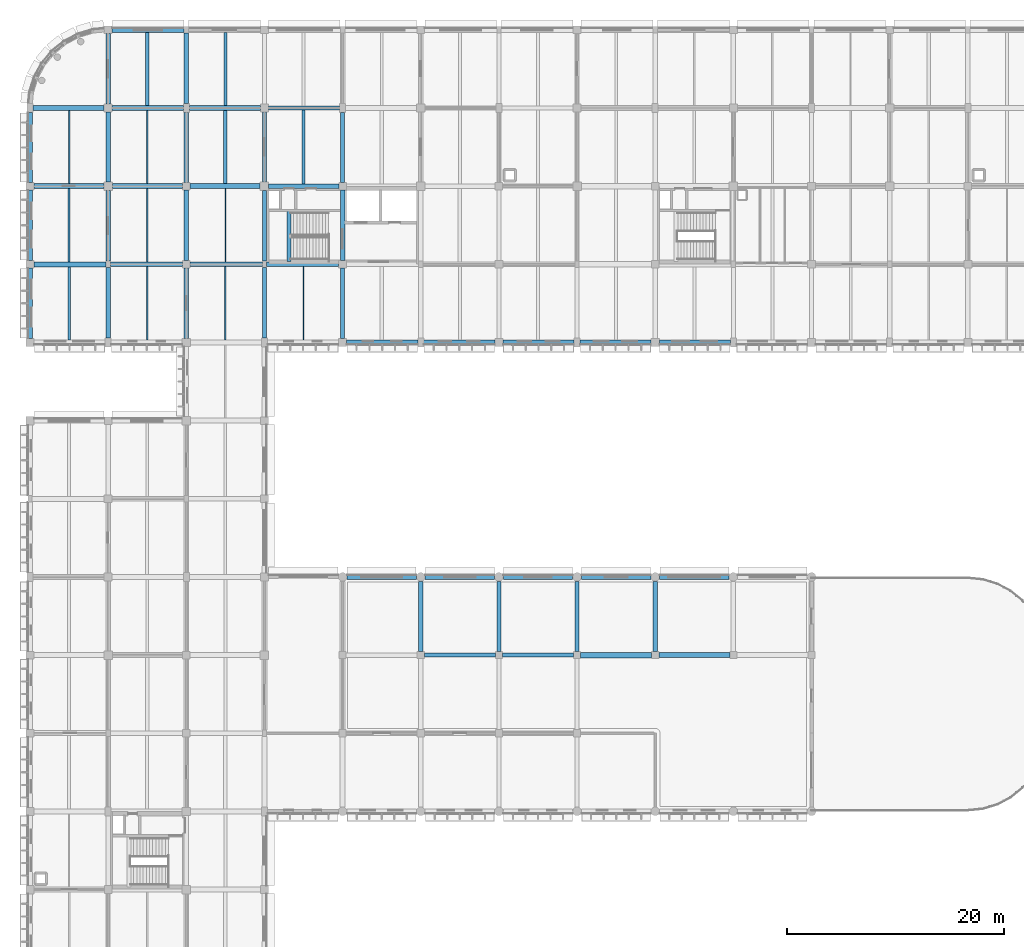
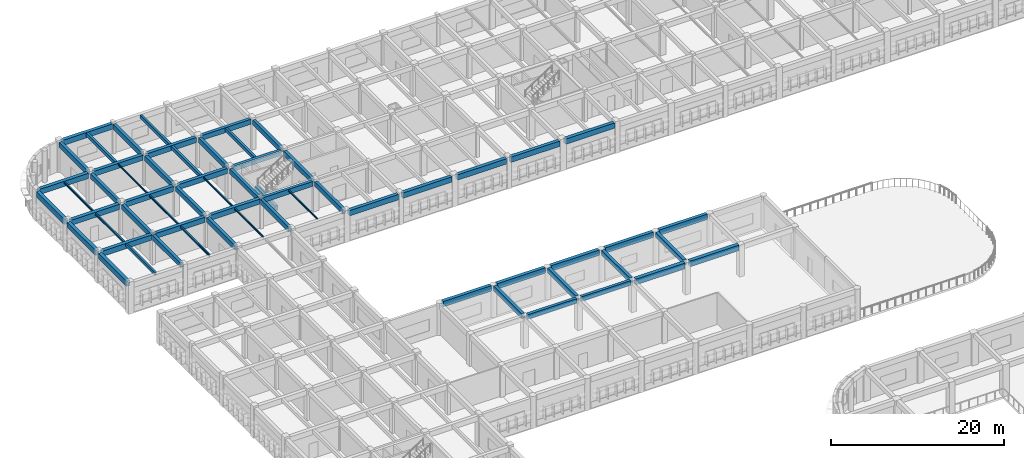
# One storey, part 7 of 61: 62 beams.
"""IFC4 building model written with IfcOpenShell, lengths in metres."""

from ifc_helpers import new_model, si_unit, direction, frame, origin, origin_2d, place, context, subcontext, project, spatial, rectangle, i_section, extrude, material, material_profile, profile_set, type_object, element, save


model = new_model("IFC4")

# Units and contexts
model_context = context("Model", 3, precision=1e-05, world=origin(), true_north=direction((0.0, 1.0)))
body_context = subcontext(model_context, "Body", "Model", "MODEL_VIEW")
ifc_project = project(units=[si_unit("LENGTHUNIT", "METRE"), si_unit("AREAUNIT", "SQUARE_METRE"), si_unit("VOLUMEUNIT", "CUBIC_METRE"), si_unit("PLANEANGLEUNIT", "RADIAN"), si_unit("MASSUNIT", "GRAM", prefix="KILO")], contexts=[model_context])

# Site, building, storey
site_placement = place(None, origin())
site = spatial("IfcSite", under=ifc_project, at=site_placement, CompositionType="ELEMENT")
building_placement = place(site_placement, origin())
building = spatial("IfcBuilding", under=site, at=building_placement, Name="Thalmaran Polytechnic", CompositionType="ELEMENT")
storey_placement = place(building_placement, frame((0.0, 0.0, 9.89990234375)))
storey = spatial("IfcBuildingStorey", under=building, at=storey_placement, Name="L02", CompositionType="ELEMENT", Elevation=9.89990234375)

# Beams
ifc_material_1 = material(Name="Concrete C40/50", Category="concrete")
ifc_material_profile_1 = material_profile(ifc_material_1, rectangle(XDim=0.5, YDim=0.800048828125, at=origin_2d()), Name="RC 500x800")
ifc_profile_set_1 = profile_set([ifc_material_profile_1], Name="Concrete C40/50")
beam_type_1 = type_object("IfcBeamType", Name="BM-RC02", PredefinedType="BEAM", material=ifc_profile_set_1)
beam_1_placement = place(storey_placement, frame((50.72509765625, 64.800048828125, 4.10009765625), z_axis=(1.0, 0.0, 0.0), x_axis=(0.0, 1.0, 0.0)))
element("IfcBeam", 1, at=beam_1_placement, inside=storey, type_object=beam_type_1, Name="Grid Beam B02 L02 X(7,9)", PredefinedType="BEAM", context=body_context, shape_type="SweptSolid", body=[
    extrude(rectangle(XDim=0.5, YDim=0.800048828125, at=origin_2d()), origin(), (0.0, 0.0, 1.0), 6.5498046875),
])
ifc_material_profile_2 = material_profile(ifc_material_1, rectangle(XDim=0.449951171875, YDim=0.72509765625, at=origin_2d()), Name="RC 450x725")
ifc_profile_set_2 = profile_set([ifc_material_profile_2], Name="Concrete C40/50")
beam_type_2 = type_object("IfcBeamType", Name="BM-RC04", PredefinedType="BEAM", material=ifc_profile_set_2)
beam_2_placement = place(storey_placement, frame((7.39990234375, 100.800048828125, 3.862548828125), z_axis=(1.0, 0.0, 0.0), x_axis=(0.0, 1.0, 0.0)))
element("IfcBeam", 2, at=beam_2_placement, inside=storey, type_object=beam_type_2, Name="Grid Beam B04 L02 X(1,14)", PredefinedType="BEAM", context=body_context, shape_type="SweptSolid", body=[
    extrude(rectangle(XDim=0.449951171875, YDim=0.72509765625, at=origin_2d()), origin(), (0.0, 0.0, 1.0), 6.64013671875),
])
beam_3_placement = place(storey_placement, frame((7.590087890625, 108.0, 3.862548828125), z_axis=(1.0, 0.0, 0.0), x_axis=(0.0, 1.0, 0.0)))
element("IfcBeam", 3, at=beam_3_placement, inside=storey, type_object=beam_type_2, Name="Grid Beam B04 L02 X(1,15)", PredefinedType="BEAM", context=body_context, shape_type="SweptSolid", body=[
    extrude(rectangle(XDim=0.449951171875, YDim=0.72509765625, at=origin_2d()), origin(), (0.0, 0.0, 1.0), 6.4599609375),
])
beam_4_placement = place(storey_placement, frame((7.574951171875, 115.199951171875, 3.862548828125), z_axis=(1.0, 0.0, 0.0), x_axis=(0.0, 1.0, 0.0)))
element("IfcBeam", 4, at=beam_4_placement, inside=storey, type_object=beam_type_2, Name="Grid Beam B04 L02 X(1,16)", PredefinedType="BEAM", context=body_context, shape_type="SweptSolid", body=[
    extrude(rectangle(XDim=0.449951171875, YDim=0.72509765625, at=origin_2d()), origin(), (0.0, 0.0, 1.0), 6.550048828125),
])
ifc_material_profile_3 = material_profile(ifc_material_1, rectangle(XDim=0.39990234375, YDim=0.699951171875, at=origin_2d()), Name="RC 400x700")
ifc_profile_set_3 = profile_set([ifc_material_profile_3], Name="Concrete C40/50")
beam_type_3 = type_object("IfcBeamType", Name="BM-RC05", PredefinedType="BEAM", material=ifc_profile_set_3)
beam_5_placement = place(storey_placement, frame((21.800048828125, 100.800048828125, 3.875), z_axis=(1.0, 0.0, 0.0), x_axis=(0.0, 1.0, 0.0)))
element("IfcBeam", 5, at=beam_5_placement, inside=storey, type_object=beam_type_3, Name="Grid Beam B05 L02 X(3,14)", PredefinedType="BEAM", context=body_context, shape_type="SweptSolid", body=[
    extrude(rectangle(XDim=0.39990234375, YDim=0.699951171875, at=origin_2d()), origin(), (0.0, 0.0, 1.0), 6.639892578125),
])
beam_6_placement = place(storey_placement, frame((21.989990234375, 108.0, 3.875), z_axis=(1.0, 0.0, 0.0), x_axis=(0.0, 1.0, 0.0)))
element("IfcBeam", 6, at=beam_6_placement, inside=storey, type_object=beam_type_3, Name="Grid Beam B05 L02 X(3,15)", PredefinedType="BEAM", context=body_context, shape_type="SweptSolid", body=[
    extrude(rectangle(XDim=0.39990234375, YDim=0.699951171875, at=origin_2d()), origin(), (0.0, 0.0, 1.0), 6.4599609375),
])
beam_7_placement = place(storey_placement, frame((21.97509765625, 115.199951171875, 3.875), z_axis=(1.0, 0.0, 0.0), x_axis=(0.0, 1.0, 0.0)))
element("IfcBeam", 7, at=beam_7_placement, inside=storey, type_object=beam_type_3, Name="Grid Beam B05 L02 X(3,16)", PredefinedType="BEAM", context=body_context, shape_type="SweptSolid", body=[
    extrude(rectangle(XDim=0.39990234375, YDim=0.699951171875, at=origin_2d()), origin(), (0.0, 0.0, 1.0), 6.5498046875),
])
ifc_material_profile_4 = material_profile(ifc_material_1, rectangle(XDim=0.39990234375, YDim=0.64990234375, at=origin_2d()), Name="RC 400x650")
ifc_profile_set_4 = profile_set([ifc_material_profile_4], Name="Concrete C40/50")
beam_type_4 = type_object("IfcBeamType", Name="BM-RC06", PredefinedType="BEAM", material=ifc_profile_set_4)
beam_8_placement = place(storey_placement, frame((36.324951171875, 64.800048828125, 4.175048828125), z_axis=(1.0, 0.0, 0.0), x_axis=(0.0, 1.0, 0.0)))
element("IfcBeam", 8, at=beam_8_placement, inside=storey, type_object=beam_type_4, Name="Grid Beam B06 L02 X(5,9)", PredefinedType="BEAM", context=body_context, shape_type="SweptSolid", body=[
    extrude(rectangle(XDim=0.39990234375, YDim=0.64990234375, at=origin_2d()), origin(), (0.0, 0.0, 1.0), 6.550048828125),
])
ifc_material_profile_5 = material_profile(ifc_material_1, rectangle(XDim=0.389892578125, YDim=0.68505859375, at=origin_2d()), Name="RC 390x685")
ifc_profile_set_5 = profile_set([ifc_material_profile_5], Name="Concrete C40/50")
beam_type_5 = type_object("IfcBeamType", Name="BM-RC08", PredefinedType="BEAM", material=ifc_profile_set_5)
beam_9_placement = place(storey_placement, frame((7.199951171875, 94.02490234375, 3.882568359375), z_axis=(0.0, 1.0, 0.0), x_axis=(-1.0, 0.0, 0.0)))
element("IfcBeam", 9, at=beam_9_placement, inside=storey, type_object=beam_type_5, Name="Grid Beam B08 L02 Y(1,13)", PredefinedType="BEAM", context=body_context, shape_type="SweptSolid", body=[
    extrude(rectangle(XDim=0.389892578125, YDim=0.68505859375, at=origin_2d()), origin(), (0.0, 0.0, 1.0), 6.47509765625),
])
beam_10_placement = place(storey_placement, frame((14.39990234375, 93.97509765625, 3.882568359375), z_axis=(0.0, 1.0, 0.0), x_axis=(-1.0, 0.0, 0.0)))
element("IfcBeam", 10, at=beam_10_placement, inside=storey, type_object=beam_type_5, Name="Grid Beam B08 L02 Y(2,13)", PredefinedType="BEAM", context=body_context, shape_type="SweptSolid", body=[
    extrude(rectangle(XDim=0.389892578125, YDim=0.68505859375, at=origin_2d()), origin(), (0.0, 0.0, 1.0), 6.46484375),
])
beam_11_placement = place(storey_placement, frame((21.60009765625, 94.02490234375, 3.882568359375), z_axis=(0.0, 1.0, 0.0), x_axis=(-1.0, 0.0, 0.0)))
element("IfcBeam", 11, at=beam_11_placement, inside=storey, type_object=beam_type_5, Name="Grid Beam B08 L02 Y(3,13)", PredefinedType="BEAM", context=body_context, shape_type="SweptSolid", body=[
    extrude(rectangle(XDim=0.389892578125, YDim=0.68505859375, at=origin_2d()), origin(), (0.0, 0.0, 1.0), 6.47509765625),
])
beam_12_placement = place(storey_placement, frame((28.800048828125, 93.97509765625, 3.882568359375), z_axis=(0.0, 1.0, 0.0), x_axis=(-1.0, 0.0, 0.0)))
element("IfcBeam", 12, at=beam_12_placement, inside=storey, type_object=beam_type_5, Name="Grid Beam B08 L02 Y(4,13)", PredefinedType="BEAM", context=body_context, shape_type="SweptSolid", body=[
    extrude(rectangle(XDim=0.389892578125, YDim=0.68505859375, at=origin_2d()), origin(), (0.0, 0.0, 1.0), 6.46484375),
])
ifc_material_profile_6 = material_profile(ifc_material_1, rectangle(XDim=0.389892578125, YDim=0.68994140625, at=origin_2d()), Name="RC 390x690")
ifc_profile_set_6 = profile_set([ifc_material_profile_6], Name="Concrete C40/50")
beam_type_6 = type_object("IfcBeamType", Name="BM-RC09", PredefinedType="BEAM", material=ifc_profile_set_6)
beam_13_placement = place(storey_placement, frame((7.199951171875, 108.389892578125, 3.880126953125), z_axis=(0.0, 1.0, 0.0), x_axis=(-1.0, 0.0, 0.0)))
element("IfcBeam", 13, at=beam_13_placement, inside=storey, type_object=beam_type_6, Name="Grid Beam B09 L02 Y(1,15)", PredefinedType="BEAM", context=body_context, shape_type="SweptSolid", body=[
    extrude(rectangle(XDim=0.389892578125, YDim=0.68994140625, at=origin_2d()), origin(), (0.0, 0.0, 1.0), 6.43505859375),
])
beam_14_placement = place(storey_placement, frame((14.39990234375, 108.35009765625, 3.880126953125), z_axis=(0.0, 1.0, 0.0), x_axis=(-1.0, 0.0, 0.0)))
element("IfcBeam", 14, at=beam_14_placement, inside=storey, type_object=beam_type_6, Name="Grid Beam B09 L02 Y(2,15)", PredefinedType="BEAM", context=body_context, shape_type="SweptSolid", body=[
    extrude(rectangle(XDim=0.389892578125, YDim=0.68994140625, at=origin_2d()), origin(), (0.0, 0.0, 1.0), 6.4248046875),
])
beam_15_placement = place(storey_placement, frame((21.60009765625, 108.389892578125, 3.880126953125), z_axis=(0.0, 1.0, 0.0), x_axis=(-1.0, 0.0, 0.0)))
element("IfcBeam", 15, at=beam_15_placement, inside=storey, type_object=beam_type_6, Name="Grid Beam B09 L02 Y(3,15)", PredefinedType="BEAM", context=body_context, shape_type="SweptSolid", body=[
    extrude(rectangle(XDim=0.389892578125, YDim=0.68994140625, at=origin_2d()), origin(), (0.0, 0.0, 1.0), 6.43505859375),
])
beam_16_placement = place(storey_placement, frame((28.800048828125, 108.35009765625, 3.880126953125), z_axis=(0.0, 1.0, 0.0), x_axis=(-1.0, 0.0, 0.0)))
element("IfcBeam", 16, at=beam_16_placement, inside=storey, type_object=beam_type_6, Name="Grid Beam B09 L02 Y(4,15)", PredefinedType="BEAM", context=body_context, shape_type="SweptSolid", body=[
    extrude(rectangle(XDim=0.389892578125, YDim=0.68994140625, at=origin_2d()), origin(), (0.0, 0.0, 1.0), 6.4248046875),
])
ifc_material_profile_7 = material_profile(ifc_material_1, rectangle(XDim=0.389892578125, YDim=0.695068359375, at=origin_2d()), Name="RC 390x695")
ifc_profile_set_7 = profile_set([ifc_material_profile_7], Name="Concrete C40/50")
beam_type_7 = type_object("IfcBeamType", Name="BM-RC10", PredefinedType="BEAM", material=ifc_profile_set_7)
beam_17_placement = place(storey_placement, frame((23.860107421875, 101.0400390625, 1.7900390625), z_axis=(0.0, 1.0, 0.0), x_axis=(-1.0, 0.0, 0.0)))
element("IfcBeam", 17, at=beam_17_placement, inside=storey, type_object=beam_type_7, Name="ST2 L02 Half-Landing Trimmer Beam", PredefinedType="BEAM", context=body_context, shape_type="SweptSolid", body=[
    extrude(rectangle(XDim=0.389892578125, YDim=0.695068359375, at=origin_2d()), origin(), (0.0, 0.0, 1.0), 4.699951171875),
])
ifc_material_profile_8 = material_profile(ifc_material_1, rectangle(XDim=0.300048828125, YDim=0.5, at=origin_2d()), Name="RC 300x500")
ifc_profile_set_8 = profile_set([ifc_material_profile_8], Name="Concrete C40/50")
beam_type_8 = type_object("IfcBeamType", Name="BM-RC11", PredefinedType="JOIST", material=ifc_profile_set_8)
beam_18_placement = place(storey_placement, frame((10.800048828125, 115.425048828125, 3.97509765625), z_axis=(0.0, 1.0, 0.0), x_axis=(-1.0, 0.0, 0.0)))
element("IfcBeam", 18, at=beam_18_placement, inside=storey, type_object=beam_type_8, Name="Secondary Floor Rib RB01 L02 (1,16)", PredefinedType="JOIST", context=body_context, shape_type="SweptSolid", body=[
    extrude(rectangle(XDim=0.300048828125, YDim=0.5, at=origin_2d()), origin(), (0.0, 0.0, 1.0), 6.75),
])
beam_19_placement = place(storey_placement, frame((18.0, 108.219970703125, 3.97509765625), z_axis=(0.0, 1.0, 0.0), x_axis=(-1.0, 0.0, 0.0)))
element("IfcBeam", 19, at=beam_19_placement, inside=storey, type_object=beam_type_8, Name="Secondary Floor Rib RB01 L02 (2,15)", PredefinedType="JOIST", context=body_context, shape_type="SweptSolid", body=[
    extrude(rectangle(XDim=0.300048828125, YDim=0.5, at=origin_2d()), origin(), (0.0, 0.0, 1.0), 6.760009765625),
])
ifc_material_2 = material(Name="Steel S355", Category="steel")
ifc_material_profile_9 = material_profile(ifc_material_2, i_section(OverallWidth=0.159912109375, OverallDepth=0.330078125, WebThickness=0.007568359375, FlangeThickness=0.011474609375, at=origin_2d()), Name="IPE 330")
ifc_profile_set_9 = profile_set([ifc_material_profile_9], Name="Steel S355")
beam_type_9 = type_object("IfcBeamType", Name="BM-SJ02", PredefinedType="JOIST", material=ifc_profile_set_9)
beam_20_placement = place(storey_placement, frame((3.60009765625, 101.030029296875, 4.06005859375), z_axis=(0.0, 1.0, 0.0), x_axis=(-1.0, 0.0, 0.0)))
element("IfcBeam", 20, at=beam_20_placement, inside=storey, type_object=beam_type_9, Name="Secondary Floor Rib SJ02 L02 (0,14)", PredefinedType="JOIST", context=body_context, shape_type="SweptSolid", body=[
    extrude(i_section(OverallWidth=0.159912109375, OverallDepth=0.330078125, WebThickness=0.007568359375, FlangeThickness=0.011474609375, at=origin_2d()), origin(), (0.0, 0.0, 1.0), 6.739990234375),
])
beam_21_placement = place(storey_placement, frame((10.800048828125, 93.824951171875, 4.06005859375), z_axis=(0.0, 1.0, 0.0), x_axis=(-1.0, 0.0, 0.0)))
element("IfcBeam", 21, at=beam_21_placement, inside=storey, type_object=beam_type_9, Name="Secondary Floor Rib SJ02 L02 (1,13)", PredefinedType="JOIST", context=body_context, shape_type="SweptSolid", body=[
    extrude(i_section(OverallWidth=0.159912109375, OverallDepth=0.330078125, WebThickness=0.007568359375, FlangeThickness=0.011474609375, at=origin_2d()), origin(), (0.0, 0.0, 1.0), 6.75),
])
ifc_material_profile_10 = material_profile(ifc_material_2, i_section(OverallWidth=0.135009765625, OverallDepth=0.27001953125, WebThickness=0.006591796875, FlangeThickness=0.01025390625, at=origin_2d()), Name="IPE 270")
ifc_profile_set_10 = profile_set([ifc_material_profile_10], Name="Steel S355")
beam_type_10 = type_object("IfcBeamType", Name="BM-SJ03", PredefinedType="JOIST", material=ifc_profile_set_10)
beam_22_placement = place(storey_placement, frame((3.60009765625, 108.22998046875, 4.090087890625), z_axis=(0.0, 1.0, 0.0), x_axis=(-1.0, 0.0, 0.0)))
element("IfcBeam", 22, at=beam_22_placement, inside=storey, type_object=beam_type_10, Name="Secondary Floor Rib SJ03 L02 (0,15)", PredefinedType="JOIST", context=body_context, shape_type="SweptSolid", body=[
    extrude(i_section(OverallWidth=0.135009765625, OverallDepth=0.27001953125, WebThickness=0.006591796875, FlangeThickness=0.01025390625, at=origin_2d()), origin(), (0.0, 0.0, 1.0), 6.739990234375),
])
beam_23_placement = place(storey_placement, frame((10.800048828125, 101.02490234375, 4.090087890625), z_axis=(0.0, 1.0, 0.0), x_axis=(-1.0, 0.0, 0.0)))
element("IfcBeam", 23, at=beam_23_placement, inside=storey, type_object=beam_type_10, Name="Secondary Floor Rib SJ03 L02 (1,14)", PredefinedType="JOIST", context=body_context, shape_type="SweptSolid", body=[
    extrude(i_section(OverallWidth=0.135009765625, OverallDepth=0.27001953125, WebThickness=0.006591796875, FlangeThickness=0.01025390625, at=origin_2d()), origin(), (0.0, 0.0, 1.0), 6.75),
])
beam_24_placement = place(storey_placement, frame((18.0, 93.820068359375, 4.090087890625), z_axis=(0.0, 1.0, 0.0), x_axis=(-1.0, 0.0, 0.0)))
element("IfcBeam", 24, at=beam_24_placement, inside=storey, type_object=beam_type_10, Name="Secondary Floor Rib SJ03 L02 (2,13)", PredefinedType="JOIST", context=body_context, shape_type="SweptSolid", body=[
    extrude(i_section(OverallWidth=0.135009765625, OverallDepth=0.27001953125, WebThickness=0.006591796875, FlangeThickness=0.01025390625, at=origin_2d()), origin(), (0.0, 0.0, 1.0), 6.760009765625),
])
ifc_material_profile_11 = material_profile(ifc_material_2, i_section(OverallWidth=0.110107421875, OverallDepth=0.219970703125, WebThickness=0.005859375, FlangeThickness=0.00927734375, at=origin_2d()), Name="IPE 220")
ifc_profile_set_11 = profile_set([ifc_material_profile_11], Name="Steel S355")
beam_type_11 = type_object("IfcBeamType", Name="BM-SJ04", PredefinedType="JOIST", material=ifc_profile_set_11)
beam_25_placement = place(storey_placement, frame((10.800048828125, 108.22509765625, 4.114990234375), z_axis=(0.0, 1.0, 0.0), x_axis=(-1.0, 0.0, 0.0)))
element("IfcBeam", 25, at=beam_25_placement, inside=storey, type_object=beam_type_11, Name="Secondary Floor Rib SJ04 L02 (1,15)", PredefinedType="JOIST", context=body_context, shape_type="SweptSolid", body=[
    extrude(i_section(OverallWidth=0.110107421875, OverallDepth=0.219970703125, WebThickness=0.005859375, FlangeThickness=0.00927734375, at=origin_2d()), origin(), (0.0, 0.0, 1.0), 6.75),
])
beam_26_placement = place(storey_placement, frame((18.0, 101.02001953125, 4.114990234375), z_axis=(0.0, 1.0, 0.0), x_axis=(-1.0, 0.0, 0.0)))
element("IfcBeam", 26, at=beam_26_placement, inside=storey, type_object=beam_type_11, Name="Secondary Floor Rib SJ04 L02 (2,14)", PredefinedType="JOIST", context=body_context, shape_type="SweptSolid", body=[
    extrude(i_section(OverallWidth=0.110107421875, OverallDepth=0.219970703125, WebThickness=0.005859375, FlangeThickness=0.00927734375, at=origin_2d()), origin(), (0.0, 0.0, 1.0), 6.760009765625),
])
beam_27_placement = place(storey_placement, frame((25.199951171875, 93.824951171875, 4.114990234375), z_axis=(0.0, 1.0, 0.0), x_axis=(-1.0, 0.0, 0.0)))
element("IfcBeam", 27, at=beam_27_placement, inside=storey, type_object=beam_type_11, Name="Secondary Floor Rib SJ04 L02 (3,13)", PredefinedType="JOIST", context=body_context, shape_type="SweptSolid", body=[
    extrude(i_section(OverallWidth=0.110107421875, OverallDepth=0.219970703125, WebThickness=0.005859375, FlangeThickness=0.00927734375, at=origin_2d()), origin(), (0.0, 0.0, 1.0), 6.775146484375),
])
ifc_material_profile_12 = material_profile(ifc_material_1, rectangle(XDim=0.449951171875, YDim=0.7548828125, at=origin_2d()), Name="RC 450x755")
ifc_profile_set_12 = profile_set([ifc_material_profile_12], Name="Concrete C40/50")
beam_type_12 = type_object("IfcBeamType", Name="BM-SP02", PredefinedType="SPANDREL", material=ifc_profile_set_12)
beam_28_placement = place(storey_placement, frame((7.56005859375, 122.39990234375, 3.84765625), z_axis=(1.0, 0.0, 0.0), x_axis=(0.0, 1.0, 0.0)))
element("IfcBeam", 28, at=beam_28_placement, inside=storey, type_object=beam_type_12, Name="Grid Beam SP02 L02 X(1,17)", PredefinedType="SPANDREL", context=body_context, shape_type="SweptSolid", body=[
    extrude(rectangle(XDim=0.449951171875, YDim=0.7548828125, at=origin_2d()), origin(), (0.0, 0.0, 1.0), 6.639892578125),
])
beam_29_placement = place(storey_placement, frame((29.199951171875, 72.0, 4.12255859375), z_axis=(1.0, 0.0, 0.0), x_axis=(0.0, 1.0, 0.0)))
element("IfcBeam", 29, at=beam_29_placement, inside=storey, type_object=beam_type_12, Name="Grid Beam SP02 L02 X(4,10)", PredefinedType="SPANDREL", context=body_context, shape_type="SweptSolid", body=[
    extrude(rectangle(XDim=0.449951171875, YDim=0.7548828125, at=origin_2d()), origin(), (0.0, 0.0, 1.0), 6.400146484375),
])
beam_30_placement = place(storey_placement, frame((29.175048828125, 93.60009765625, 3.84765625), z_axis=(1.0, 0.0, 0.0), x_axis=(0.0, 1.0, 0.0)))
element("IfcBeam", 30, at=beam_30_placement, inside=storey, type_object=beam_type_12, Name="Grid Beam SP02 L02 X(4,13)", PredefinedType="SPANDREL", context=body_context, shape_type="SweptSolid", body=[
    extrude(rectangle(XDim=0.449951171875, YDim=0.7548828125, at=origin_2d()), origin(), (0.0, 0.0, 1.0), 6.550048828125),
])
beam_31_placement = place(storey_placement, frame((36.39990234375, 72.0, 4.12255859375), z_axis=(1.0, 0.0, 0.0), x_axis=(0.0, 1.0, 0.0)))
element("IfcBeam", 31, at=beam_31_placement, inside=storey, type_object=beam_type_12, Name="Grid Beam SP02 L02 X(5,10)", PredefinedType="SPANDREL", context=body_context, shape_type="SweptSolid", body=[
    extrude(rectangle(XDim=0.449951171875, YDim=0.7548828125, at=origin_2d()), origin(), (0.0, 0.0, 1.0), 6.400146484375),
])
beam_32_placement = place(storey_placement, frame((36.27490234375, 93.60009765625, 3.84765625), z_axis=(1.0, 0.0, 0.0), x_axis=(0.0, 1.0, 0.0)))
element("IfcBeam", 32, at=beam_32_placement, inside=storey, type_object=beam_type_12, Name="Grid Beam SP02 L02 X(5,13)", PredefinedType="SPANDREL", context=body_context, shape_type="SweptSolid", body=[
    extrude(rectangle(XDim=0.449951171875, YDim=0.7548828125, at=origin_2d()), origin(), (0.0, 0.0, 1.0), 6.550048828125),
])
beam_33_placement = place(storey_placement, frame((43.60009765625, 72.0, 4.12255859375), z_axis=(1.0, 0.0, 0.0), x_axis=(0.0, 1.0, 0.0)))
element("IfcBeam", 33, at=beam_33_placement, inside=storey, type_object=beam_type_12, Name="Grid Beam SP02 L02 X(6,10)", PredefinedType="SPANDREL", context=body_context, shape_type="SweptSolid", body=[
    extrude(rectangle(XDim=0.449951171875, YDim=0.7548828125, at=origin_2d()), origin(), (0.0, 0.0, 1.0), 6.39990234375),
])
beam_34_placement = place(storey_placement, frame((43.574951171875, 93.60009765625, 3.84765625), z_axis=(1.0, 0.0, 0.0), x_axis=(0.0, 1.0, 0.0)))
element("IfcBeam", 34, at=beam_34_placement, inside=storey, type_object=beam_type_12, Name="Grid Beam SP02 L02 X(6,13)", PredefinedType="SPANDREL", context=body_context, shape_type="SweptSolid", body=[
    extrude(rectangle(XDim=0.449951171875, YDim=0.7548828125, at=origin_2d()), origin(), (0.0, 0.0, 1.0), 6.550048828125),
])
beam_35_placement = place(storey_placement, frame((50.800048828125, 72.0, 4.12255859375), z_axis=(1.0, 0.0, 0.0), x_axis=(0.0, 1.0, 0.0)))
element("IfcBeam", 35, at=beam_35_placement, inside=storey, type_object=beam_type_12, Name="Grid Beam SP02 L02 X(7,10)", PredefinedType="SPANDREL", context=body_context, shape_type="SweptSolid", body=[
    extrude(rectangle(XDim=0.449951171875, YDim=0.7548828125, at=origin_2d()), origin(), (0.0, 0.0, 1.0), 6.39990234375),
])
beam_36_placement = place(storey_placement, frame((50.675048828125, 93.60009765625, 3.84765625), z_axis=(1.0, 0.0, 0.0), x_axis=(0.0, 1.0, 0.0)))
element("IfcBeam", 36, at=beam_36_placement, inside=storey, type_object=beam_type_12, Name="Grid Beam SP02 L02 X(7,13)", PredefinedType="SPANDREL", context=body_context, shape_type="SweptSolid", body=[
    extrude(rectangle(XDim=0.449951171875, YDim=0.7548828125, at=origin_2d()), origin(), (0.0, 0.0, 1.0), 6.550048828125),
])
beam_37_placement = place(storey_placement, frame((58.0, 72.0, 4.12255859375), z_axis=(1.0, 0.0, 0.0), x_axis=(0.0, 1.0, 0.0)))
element("IfcBeam", 37, at=beam_37_placement, inside=storey, type_object=beam_type_12, Name="Grid Beam SP02 L02 X(8,10)", PredefinedType="SPANDREL", context=body_context, shape_type="SweptSolid", body=[
    extrude(rectangle(XDim=0.449951171875, YDim=0.7548828125, at=origin_2d()), origin(), (0.0, 0.0, 1.0), 6.39990234375),
])
beam_38_placement = place(storey_placement, frame((57.97509765625, 93.60009765625, 3.84765625), z_axis=(1.0, 0.0, 0.0), x_axis=(0.0, 1.0, 0.0)))
element("IfcBeam", 38, at=beam_38_placement, inside=storey, type_object=beam_type_12, Name="Grid Beam SP02 L02 X(8,13)", PredefinedType="SPANDREL", context=body_context, shape_type="SweptSolid", body=[
    extrude(rectangle(XDim=0.449951171875, YDim=0.7548828125, at=origin_2d()), origin(), (0.0, 0.0, 1.0), 6.5498046875),
])
beam_39_placement = place(storey_placement, frame((0.0, 93.97509765625, 3.84765625), z_axis=(0.0, 1.0, 0.0), x_axis=(-1.0, 0.0, 0.0)))
element("IfcBeam", 39, at=beam_39_placement, inside=storey, type_object=beam_type_12, Name="Grid Beam SP02 L02 Y(0,13)", PredefinedType="SPANDREL", context=body_context, shape_type="SweptSolid", body=[
    extrude(rectangle(XDim=0.449951171875, YDim=0.7548828125, at=origin_2d()), origin(), (0.0, 0.0, 1.0), 6.46484375),
])
beam_40_placement = place(storey_placement, frame((0.0, 101.159912109375, 3.84765625), z_axis=(0.0, 1.0, 0.0), x_axis=(-1.0, 0.0, 0.0)))
element("IfcBeam", 40, at=beam_40_placement, inside=storey, type_object=beam_type_12, Name="Grid Beam SP02 L02 Y(0,14)", PredefinedType="SPANDREL", context=body_context, shape_type="SweptSolid", body=[
    extrude(rectangle(XDim=0.449951171875, YDim=0.7548828125, at=origin_2d()), origin(), (0.0, 0.0, 1.0), 6.489990234375),
])
beam_41_placement = place(storey_placement, frame((0.0, 108.35009765625, 3.84765625), z_axis=(0.0, 1.0, 0.0), x_axis=(-1.0, 0.0, 0.0)))
element("IfcBeam", 41, at=beam_41_placement, inside=storey, type_object=beam_type_12, Name="Grid Beam SP02 L02 Y(0,15)", PredefinedType="SPANDREL", context=body_context, shape_type="SweptSolid", body=[
    extrude(rectangle(XDim=0.449951171875, YDim=0.7548828125, at=origin_2d()), origin(), (0.0, 0.0, 1.0), 6.4248046875),
])
ifc_material_profile_13 = material_profile(ifc_material_1, rectangle(XDim=0.47998046875, YDim=0.780029296875, at=origin_2d()), Name="RC 480x780")
ifc_profile_set_13 = profile_set([ifc_material_profile_13], Name="Concrete C40/50")
beam_type_13 = type_object("IfcBeamType", Name="BM-ZB01", PredefinedType="BEAM", material=ifc_profile_set_13)
beam_42_placement = place(storey_placement, frame((57.925048828125, 64.800048828125, 4.110107421875), z_axis=(1.0, 0.0, 0.0), x_axis=(0.0, 1.0, 0.0)))
element("IfcBeam", 42, at=beam_42_placement, inside=storey, type_object=beam_type_13, Name="Grid Beam ZB01 L02 X(8,9)", PredefinedType="BEAM", context=body_context, shape_type="SweptSolid", body=[
    extrude(rectangle(XDim=0.47998046875, YDim=0.780029296875, at=origin_2d()), origin(), (0.0, 0.0, 1.0), 6.550048828125),
])
ifc_material_profile_14 = material_profile(ifc_material_1, rectangle(XDim=0.4599609375, YDim=0.739990234375, at=origin_2d()), Name="RC 460x740")
ifc_profile_set_14 = profile_set([ifc_material_profile_14], Name="Concrete C40/50")
beam_type_14 = type_object("IfcBeamType", Name="BM-ZB02", PredefinedType="BEAM", material=ifc_profile_set_14)
beam_43_placement = place(storey_placement, frame((0.360107421875, 100.800048828125, 3.85498046875), z_axis=(1.0, 0.0, 0.0), x_axis=(0.0, 1.0, 0.0)))
element("IfcBeam", 43, at=beam_43_placement, inside=storey, type_object=beam_type_14, Name="Grid Beam ZB02 L02 X(0,14)", PredefinedType="BEAM", context=body_context, shape_type="SweptSolid", body=[
    extrude(rectangle(XDim=0.4599609375, YDim=0.739990234375, at=origin_2d()), origin(), (0.0, 0.0, 1.0), 6.639892578125),
])
beam_44_placement = place(storey_placement, frame((0.35009765625, 108.0, 3.85498046875), z_axis=(1.0, 0.0, 0.0), x_axis=(0.0, 1.0, 0.0)))
element("IfcBeam", 44, at=beam_44_placement, inside=storey, type_object=beam_type_14, Name="Grid Beam ZB02 L02 X(0,15)", PredefinedType="BEAM", context=body_context, shape_type="SweptSolid", body=[
    extrude(rectangle(XDim=0.4599609375, YDim=0.739990234375, at=origin_2d()), origin(), (0.0, 0.0, 1.0), 6.4599609375),
])
beam_45_placement = place(storey_placement, frame((0.27490234375, 115.199951171875, 3.85498046875), z_axis=(1.0, 0.0, 0.0), x_axis=(0.0, 1.0, 0.0)))
element("IfcBeam", 45, at=beam_45_placement, inside=storey, type_object=beam_type_14, Name="Grid Beam ZB02 L02 X(0,16)", PredefinedType="BEAM", context=body_context, shape_type="SweptSolid", body=[
    extrude(rectangle(XDim=0.4599609375, YDim=0.739990234375, at=origin_2d()), origin(), (0.0, 0.0, 1.0), 6.550048828125),
])
ifc_material_profile_15 = material_profile(ifc_material_1, rectangle(XDim=0.43994140625, YDim=0.719970703125, at=origin_2d()), Name="RC 440x720")
ifc_profile_set_15 = profile_set([ifc_material_profile_15], Name="Concrete C40/50")
beam_type_15 = type_object("IfcBeamType", Name="BM-ZB03", PredefinedType="BEAM", material=ifc_profile_set_15)
beam_46_placement = place(storey_placement, frame((14.760009765625, 100.800048828125, 3.864990234375), z_axis=(1.0, 0.0, 0.0), x_axis=(0.0, 1.0, 0.0)))
element("IfcBeam", 46, at=beam_46_placement, inside=storey, type_object=beam_type_15, Name="Grid Beam ZB03 L02 X(2,14)", PredefinedType="BEAM", context=body_context, shape_type="SweptSolid", body=[
    extrude(rectangle(XDim=0.43994140625, YDim=0.719970703125, at=origin_2d()), origin(), (0.0, 0.0, 1.0), 6.639892578125),
])
beam_47_placement = place(storey_placement, frame((14.75, 108.0, 3.864990234375), z_axis=(1.0, 0.0, 0.0), x_axis=(0.0, 1.0, 0.0)))
element("IfcBeam", 47, at=beam_47_placement, inside=storey, type_object=beam_type_15, Name="Grid Beam ZB03 L02 X(2,15)", PredefinedType="BEAM", context=body_context, shape_type="SweptSolid", body=[
    extrude(rectangle(XDim=0.43994140625, YDim=0.719970703125, at=origin_2d()), origin(), (0.0, 0.0, 1.0), 6.4599609375),
])
beam_48_placement = place(storey_placement, frame((14.675048828125, 115.199951171875, 3.864990234375), z_axis=(1.0, 0.0, 0.0), x_axis=(0.0, 1.0, 0.0)))
element("IfcBeam", 48, at=beam_48_placement, inside=storey, type_object=beam_type_15, Name="Grid Beam ZB03 L02 X(2,16)", PredefinedType="BEAM", context=body_context, shape_type="SweptSolid", body=[
    extrude(rectangle(XDim=0.43994140625, YDim=0.719970703125, at=origin_2d()), origin(), (0.0, 0.0, 1.0), 6.550048828125),
])
ifc_material_profile_16 = material_profile(ifc_material_1, rectangle(XDim=0.3798828125, YDim=0.639892578125, at=origin_2d()), Name="RC 380x640")
ifc_profile_set_16 = profile_set([ifc_material_profile_16], Name="Concrete C40/50")
beam_type_16 = type_object("IfcBeamType", Name="BM-ZB05", PredefinedType="BEAM", material=ifc_profile_set_16)
beam_49_placement = place(storey_placement, frame((43.52490234375, 64.800048828125, 4.18017578125), z_axis=(1.0, 0.0, 0.0), x_axis=(0.0, 1.0, 0.0)))
element("IfcBeam", 49, at=beam_49_placement, inside=storey, type_object=beam_type_16, Name="Grid Beam ZB05 L02 X(6,9)", PredefinedType="BEAM", context=body_context, shape_type="SweptSolid", body=[
    extrude(rectangle(XDim=0.3798828125, YDim=0.639892578125, at=origin_2d()), origin(), (0.0, 0.0, 1.0), 6.550048828125),
])
ifc_material_profile_17 = material_profile(ifc_material_1, rectangle(XDim=0.39990234375, YDim=0.68505859375, at=origin_2d()), Name="RC 400x685")
ifc_profile_set_17 = profile_set([ifc_material_profile_17], Name="Concrete C40/50")
beam_type_17 = type_object("IfcBeamType", Name="BM-ZB07", PredefinedType="BEAM", material=ifc_profile_set_17)
beam_50_placement = place(storey_placement, frame((7.199951171875, 101.10009765625, 3.882568359375), z_axis=(0.0, 1.0, 0.0), x_axis=(-1.0, 0.0, 0.0)))
element("IfcBeam", 50, at=beam_50_placement, inside=storey, type_object=beam_type_17, Name="Grid Beam ZB07 L02 Y(1,14)", PredefinedType="BEAM", context=body_context, shape_type="SweptSolid", body=[
    extrude(rectangle(XDim=0.39990234375, YDim=0.68505859375, at=origin_2d()), origin(), (0.0, 0.0, 1.0), 6.510009765625),
])
beam_51_placement = place(storey_placement, frame((14.39990234375, 101.159912109375, 3.882568359375), z_axis=(0.0, 1.0, 0.0), x_axis=(-1.0, 0.0, 0.0)))
element("IfcBeam", 51, at=beam_51_placement, inside=storey, type_object=beam_type_17, Name="Grid Beam ZB07 L02 Y(2,14)", PredefinedType="BEAM", context=body_context, shape_type="SweptSolid", body=[
    extrude(rectangle(XDim=0.39990234375, YDim=0.68505859375, at=origin_2d()), origin(), (0.0, 0.0, 1.0), 6.489990234375),
])
beam_52_placement = place(storey_placement, frame((21.60009765625, 101.10009765625, 3.882568359375), z_axis=(0.0, 1.0, 0.0), x_axis=(-1.0, 0.0, 0.0)))
element("IfcBeam", 52, at=beam_52_placement, inside=storey, type_object=beam_type_17, Name="Grid Beam ZB07 L02 Y(3,14)", PredefinedType="BEAM", context=body_context, shape_type="SweptSolid", body=[
    extrude(rectangle(XDim=0.39990234375, YDim=0.68505859375, at=origin_2d()), origin(), (0.0, 0.0, 1.0), 6.510009765625),
])
beam_53_placement = place(storey_placement, frame((28.800048828125, 101.159912109375, 3.882568359375), z_axis=(0.0, 1.0, 0.0), x_axis=(-1.0, 0.0, 0.0)))
element("IfcBeam", 53, at=beam_53_placement, inside=storey, type_object=beam_type_17, Name="Grid Beam ZB07 L02 Y(4,14)", PredefinedType="BEAM", context=body_context, shape_type="SweptSolid", body=[
    extrude(rectangle(XDim=0.39990234375, YDim=0.68505859375, at=origin_2d()), origin(), (0.0, 0.0, 1.0), 6.489990234375),
])
ifc_material_profile_18 = material_profile(ifc_material_1, rectangle(XDim=0.39990234375, YDim=0.695068359375, at=origin_2d()), Name="RC 400x695")
ifc_profile_set_18 = profile_set([ifc_material_profile_18], Name="Concrete C40/50")
beam_type_18 = type_object("IfcBeamType", Name="BM-ZB08", PredefinedType="BEAM", material=ifc_profile_set_18)
beam_54_placement = place(storey_placement, frame((7.199951171875, 115.574951171875, 3.877685546875), z_axis=(0.0, 1.0, 0.0), x_axis=(-1.0, 0.0, 0.0)))
element("IfcBeam", 54, at=beam_54_placement, inside=storey, type_object=beam_type_18, Name="Grid Beam ZB08 L02 Y(1,16)", PredefinedType="BEAM", context=body_context, shape_type="SweptSolid", body=[
    extrude(rectangle(XDim=0.39990234375, YDim=0.695068359375, at=origin_2d()), origin(), (0.0, 0.0, 1.0), 6.465087890625),
])
for number, where, z_axis, x_axis, name in (
    (55, (14.39990234375, 115.625, 3.877685546875), (0.0, 1.0, 0.0), (-1.0, 0.0, 0.0), "Grid Beam ZB08 L02 Y(2,16)"),
    (56, (36.0, 65.125, 4.152587890625), (0.0, 1.0, 0.0), (-1.0, 0.0, 0.0), "Grid Beam ZB08 L02 Y(5,9)"),
    (57, (43.199951171875, 65.125, 4.152587890625), (0.0, 1.0, 0.0), (-1.0, 0.0, 0.0), "Grid Beam ZB08 L02 Y(6,9)"),
    (58, (50.39990234375, 65.125, 4.152587890625), (0.0, 1.0, 0.0), (-1.0, 0.0, 0.0), "Grid Beam ZB08 L02 Y(7,9)"),
    (59, (57.60009765625, 65.125, 4.152587890625), (0.0, 1.0, 0.0), (-1.0, 0.0, 0.0), "Grid Beam ZB08 L02 Y(8,9)"),
):
    element("IfcBeam", number, at=place(storey_placement, frame(where, z_axis=z_axis, x_axis=x_axis)), inside=storey, type_object=beam_type_18, Name=name, PredefinedType="BEAM", context=body_context, shape_type="SweptSolid", body=[
        extrude(rectangle(XDim=0.39990234375, YDim=0.695068359375, at=origin_2d()), origin(), (0.0, 0.0, 1.0), 6.47509765625),
    ])
ifc_material_profile_19 = material_profile(ifc_material_1, rectangle(XDim=0.280029296875, YDim=0.47998046875, at=origin_2d()), Name="RC 280x480")
ifc_profile_set_19 = profile_set([ifc_material_profile_19], Name="Concrete C40/50")
beam_type_19 = type_object("IfcBeamType", Name="BM-ZJ01", PredefinedType="JOIST", material=ifc_profile_set_19)
beam_55_placement = place(storey_placement, frame((18.0, 115.419921875, 3.985107421875), z_axis=(0.0, 1.0, 0.0), x_axis=(-1.0, 0.0, 0.0)))
element("IfcBeam", 60, at=beam_55_placement, inside=storey, type_object=beam_type_19, Name="Secondary Floor Rib ZJ01 L02 (2,16)", PredefinedType="JOIST", context=body_context, shape_type="SweptSolid", body=[
    extrude(rectangle(XDim=0.280029296875, YDim=0.47998046875, at=origin_2d()), origin(), (0.0, 0.0, 1.0), 6.755126953125),
])
beam_56_placement = place(storey_placement, frame((25.199951171875, 108.199951171875, 3.985107421875), z_axis=(0.0, 1.0, 0.0), x_axis=(-1.0, 0.0, 0.0)))
element("IfcBeam", 61, at=beam_56_placement, inside=storey, type_object=beam_type_19, Name="Secondary Floor Rib ZJ01 L02 (3,15)", PredefinedType="JOIST", context=body_context, shape_type="SweptSolid", body=[
    extrude(rectangle(XDim=0.280029296875, YDim=0.47998046875, at=origin_2d()), origin(), (0.0, 0.0, 1.0), 6.800048828125),
])
ifc_material_profile_20 = material_profile(ifc_material_1, rectangle(XDim=0.239990234375, YDim=0.39990234375, at=origin_2d()), Name="RC 240x400")
ifc_profile_set_20 = profile_set([ifc_material_profile_20], Name="Concrete C40/50")
beam_type_20 = type_object("IfcBeamType", Name="BM-ZJ04", PredefinedType="JOIST", material=ifc_profile_set_20)
beam_57_placement = place(storey_placement, frame((3.60009765625, 93.824951171875, 4.025146484375), z_axis=(0.0, 1.0, 0.0), x_axis=(-1.0, 0.0, 0.0)))
element("IfcBeam", 62, at=beam_57_placement, inside=storey, type_object=beam_type_20, Name="Secondary Floor Rib ZJ04 L02 (0,13)", PredefinedType="JOIST", context=body_context, shape_type="SweptSolid", body=[
    extrude(rectangle(XDim=0.239990234375, YDim=0.39990234375, at=origin_2d()), origin(), (0.0, 0.0, 1.0), 6.7451171875),
])

save(model, "model.ifc")
